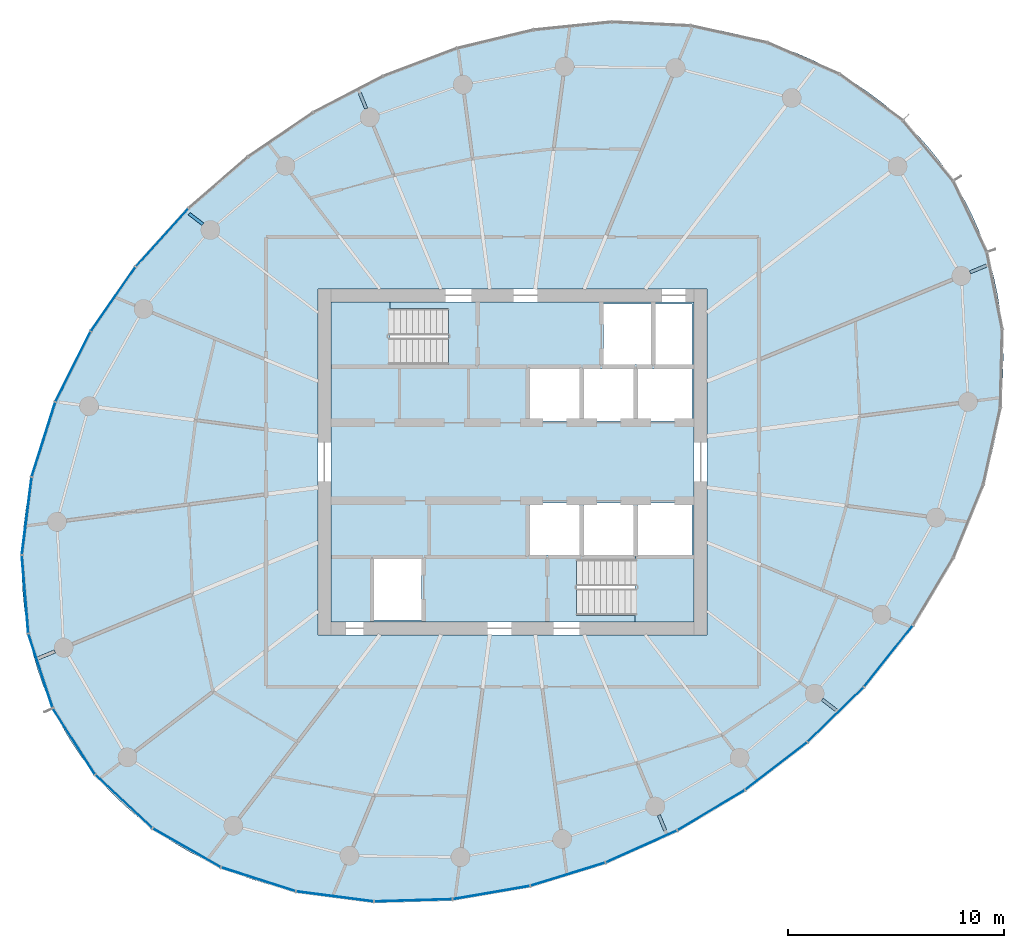
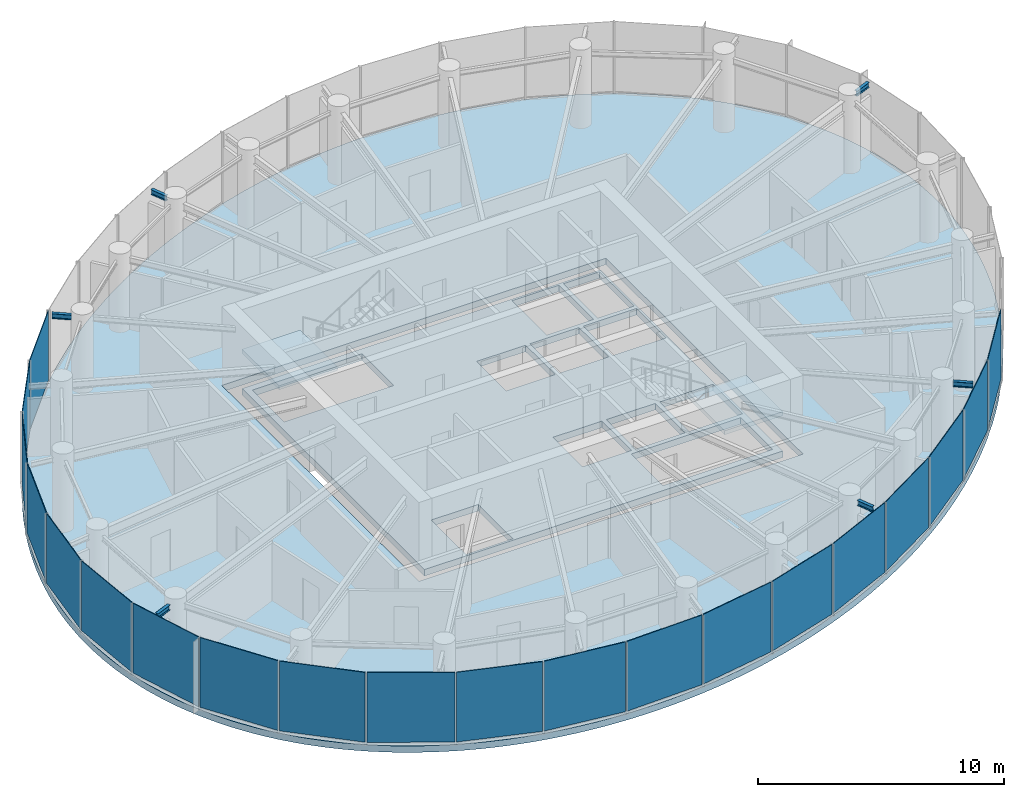
# One storey, part 8 of 15: 20 plates, 6 beams, 4 slabs, 7 elements without a shape of their own.
"""IFC4 building model written with IfcOpenShell, lengths in metres."""

import ifcopenshell
import ifcopenshell.guid

model = None  # the IFC model being written
_history = None  # IfcOwnerHistory: only IFC2X3 demands one
_inside = {}  # id of a spatial element -> (the spatial element, [elements in it])
_under = {}  # id of a project, library or spatial element -> (it, [spatial elements below it])
_declared = {}  # id of a project -> (the project, [libraries it declares])
_typed = {}  # id of a type object -> (the type object, [elements of that type])
_made_of = {}  # id of a material, layer set ... -> (it, [elements and type objects made of it])


def new_model(schema):
    """Start an empty IFC model of exactly this schema.

    Asked for "IFC4X3", IfcOpenShell would pick the latest addendum, in which some entities
    have other attributes; the version numbers below select the first issue.
    IFC2X3 requires an IfcOwnerHistory on every rooted entity: one is made here for all.
    """
    global model, _history
    if schema == "IFC4X3":
        model = ifcopenshell.file(schema_version=(4, 3, 0, 0))
    else:
        model = ifcopenshell.file(schema=schema)
    _inside.clear()
    _under.clear()
    _declared.clear()
    _typed.clear()
    _made_of.clear()
    _history = None
    if model.schema == "IFC2X3":
        org = make("IfcOrganization", Name="unknown")
        user = make(
            "IfcPersonAndOrganization",
            ThePerson=make("IfcPerson", FamilyName="unknown"),
            TheOrganization=org,
        )
        app = make(
            "IfcApplication",
            ApplicationDeveloper=org,
            Version="unknown",
            ApplicationFullName="unknown",
            ApplicationIdentifier="unknown",
        )
        _history = make(
            "IfcOwnerHistory",
            OwningUser=user,
            OwningApplication=app,
            ChangeAction="ADDED",
            CreationDate=0,
        )
    return model


def make(cls, **values):
    """One entity of the class cls with the attributes given. An attribute that is None is left unset."""
    return model.create_entity(
        cls, **{name: value for name, value in values.items() if value is not None}
    )


def rooted(cls, **values):
    """An entity with a GlobalId (a new one), such as an element, a storey or a relation."""
    return make(cls, GlobalId=ifcopenshell.guid.new(), OwnerHistory=_history, **values)


def si_unit(unit_type, name, prefix=None):
    """IfcSIUnit, for example si_unit("LENGTHUNIT", "METRE", prefix="MILLI")."""
    return make("IfcSIUnit", UnitType=unit_type, Prefix=prefix, Name=name)


def assignment(units):
    """IfcUnitAssignment: the units of a project."""
    return None if units is None else make("IfcUnitAssignment", Units=units)


def point(xyz):
    """IfcCartesianPoint."""
    return None if xyz is None else make("IfcCartesianPoint", Coordinates=xyz)


def direction(xyz):
    """IfcDirection."""
    return None if xyz is None else make("IfcDirection", DirectionRatios=xyz)


def frame(location, z_axis=None, x_axis=None):
    """IfcAxis2Placement3D, a coordinate frame: its origin and axes. An axis left out is left unset."""
    return make(
        "IfcAxis2Placement3D",
        Location=point(location),
        Axis=direction(z_axis),
        RefDirection=direction(x_axis),
    )


def frame_2d(location, x_axis=None):
    """IfcAxis2Placement2D, a coordinate frame in the plane: its origin and x axis."""
    return make(
        "IfcAxis2Placement2D", Location=point(location), RefDirection=direction(x_axis)
    )


def origin():
    """The frame at (0, 0, 0) with its axes left unset."""
    return frame((0.0, 0.0, 0.0))


def origin_2d():
    """The frame at (0, 0) in the plane with its x axis left unset."""
    return frame_2d((0.0, 0.0))


def place(relative_to, where):
    """IfcLocalPlacement: puts the frame where relative to a parent placement (None: the world)."""
    return make(
        "IfcLocalPlacement", PlacementRelTo=relative_to, RelativePlacement=where
    )


def context(
    kind, dimensions, precision=None, world=None, true_north=None, identifier=None
):
    """IfcGeometricRepresentationContext, for example the 3D "Model" context."""
    return make(
        "IfcGeometricRepresentationContext",
        ContextIdentifier=identifier,
        ContextType=kind,
        CoordinateSpaceDimension=dimensions,
        Precision=precision,
        WorldCoordinateSystem=world,
        TrueNorth=true_north,
    )


def subcontext(parent, identifier, kind, view, scale=None):
    """IfcGeometricRepresentationSubContext, for example "Body" below "Model"."""
    return make(
        "IfcGeometricRepresentationSubContext",
        ContextIdentifier=identifier,
        ContextType=kind,
        ParentContext=parent,
        TargetScale=scale,
        TargetView=view,
    )


def project(units=None, contexts=None):
    """IfcProject with its units and contexts."""
    return rooted(
        "IfcProject",
        Name="project",
        RepresentationContexts=contexts,
        UnitsInContext=assignment(units),
    )


def spatial(cls, under=None, at=None, **own):
    """A site, building, storey or space (cls), placed at a placement, below another one or the project."""
    s = rooted(cls, ObjectPlacement=at, **own)
    if under is not None:
        _under.setdefault(under.id(), (under, []))[1].append(s)
    return s


def point_list(points):
    """IfcCartesianPointList2D or 3D."""
    cls = (
        "IfcCartesianPointList2D" if len(points[0]) == 2 else "IfcCartesianPointList3D"
    )
    return make(cls, CoordList=points)


def line(*indices):
    """IfcLineIndex: a straight run through numbered points of an indexed curve."""
    return model.create_entity("IfcLineIndex", indices)


def indexed_curve(points, segments=None, self_intersect=None):
    """IfcIndexedPolyCurve: lines and arcs through numbered points (the first is 1)."""
    return make(
        "IfcIndexedPolyCurve",
        Points=point_list(points),
        Segments=segments,
        SelfIntersect=self_intersect,
    )


def profile(cls, at=None, kind="AREA", **sizes):
    """A parametric profile (cls). Its sizes go by their IFC names, for example OverallWidth=200.0."""
    return make(cls, ProfileType=kind, Position=at, **sizes)


def rectangle(**sizes):
    """IfcRectangleProfileDef."""
    return profile("IfcRectangleProfileDef", **sizes)


def i_section(**sizes):
    """IfcIShapeProfileDef."""
    return profile("IfcIShapeProfileDef", **sizes)


def outline(outer, holes=None, kind="AREA"):
    """IfcArbitraryClosedProfileDef: a profile drawn as a closed curve; with holes, ...WithVoids."""
    if holes is None:
        return make("IfcArbitraryClosedProfileDef", ProfileType=kind, OuterCurve=outer)
    return make(
        "IfcArbitraryProfileDefWithVoids",
        ProfileType=kind,
        OuterCurve=outer,
        InnerCurves=holes,
    )


def extrude(swept, where, along, depth):
    """IfcExtrudedAreaSolid: the profile swept, set in the frame where, extruded along a direction by depth."""
    return make(
        "IfcExtrudedAreaSolid",
        SweptArea=swept,
        Position=where,
        ExtrudedDirection=direction(along),
        Depth=depth,
    )


def shape(context_of_items, identifier, shape_type, items):
    """IfcShapeRepresentation: the items that make up one representation, for example the "Body"."""
    return make(
        "IfcShapeRepresentation",
        ContextOfItems=context_of_items,
        RepresentationIdentifier=identifier,
        RepresentationType=shape_type,
        Items=items,
    )


def source(mapping_origin, context_of_items, identifier, shape_type, items):
    """IfcRepresentationMap: a shape defined once, which mapped items show again and again."""
    return make(
        "IfcRepresentationMap",
        MappingOrigin=mapping_origin,
        MappedRepresentation=shape(context_of_items, identifier, shape_type, items),
    )


def transform(
    local_origin,
    x_axis=None,
    y_axis=None,
    z_axis=None,
    scale=None,
    scale2=None,
    scale3=None,
    uniform=True,
):
    """IfcCartesianTransformationOperator3D, or its non-uniform kind. x_axis, y_axis, z_axis: its Axis1, 2, 3."""
    if uniform:
        return make(
            "IfcCartesianTransformationOperator3D",
            Axis1=direction(x_axis),
            Axis2=direction(y_axis),
            LocalOrigin=point(local_origin),
            Scale=scale,
            Axis3=direction(z_axis),
        )
    return make(
        "IfcCartesianTransformationOperator3DnonUniform",
        Axis1=direction(x_axis),
        Axis2=direction(y_axis),
        LocalOrigin=point(local_origin),
        Scale=scale,
        Axis3=direction(z_axis),
        Scale2=scale2,
        Scale3=scale3,
    )


def mapped(mapping_source, mapping_target):
    """IfcMappedItem: shows the shape of a source again, moved by a transform."""
    return make(
        "IfcMappedItem", MappingSource=mapping_source, MappingTarget=mapping_target
    )


def material(Name=None, Category=None):
    """IfcMaterial."""
    return make("IfcMaterial", Name=Name, Category=Category)


def layer(
    of_material, thickness, ventilated=None, Name=None, Category=None, Priority=None
):
    """IfcMaterialLayer: one layer of a wall or slab, of a material (None: an air gap)."""
    return make(
        "IfcMaterialLayer",
        Material=of_material,
        LayerThickness=thickness,
        IsVentilated=ventilated,
        Name=Name,
        Category=Category,
        Priority=Priority,
    )


def layer_set(layers, Name=None):
    """IfcMaterialLayerSet."""
    return make("IfcMaterialLayerSet", MaterialLayers=layers, LayerSetName=Name)


def material_profile(
    of_material, cross_section, Name=None, Category=None, Priority=None
):
    """IfcMaterialProfile: a cross section and its material."""
    return make(
        "IfcMaterialProfile",
        Name=Name,
        Material=of_material,
        Profile=cross_section,
        Priority=Priority,
        Category=Category,
    )


def profile_set(profiles, Name=None, composite=None):
    """IfcMaterialProfileSet."""
    return make(
        "IfcMaterialProfileSet",
        Name=Name,
        MaterialProfiles=profiles,
        CompositeProfile=composite,
    )


def made_of(thing, what):
    """Note that an element or type object is made of a material, layer set ...; save() writes the relation."""
    if what is not None:
        _made_of.setdefault(what.id(), (what, []))[1].append(thing)
    return thing


def type_object(cls, material=None, **own):
    """A type object (cls), such as IfcWallType, which elements share."""
    return made_of(rooted(cls, **own), material)


def element(
    cls,
    number,
    at=None,
    inside=None,
    cuts=None,
    type_object=None,
    material=None,
    context=None,
    identifier="Body",
    shape_type=None,
    held_by="IfcProductDefinitionShape",
    body=None,
    shapes=None,
    **own,
):
    """One element of the class cls, such as IfcWall. Its Tag is "e" and its number.

    at: its placement. inside: the storey or other place that contains it. cuts: it is an
    opening in that element (IfcRelVoidsElement). A single representation is given by context,
    identifier, shape_type and body (its items); several are given by shapes. held_by: the class
    of the entity that holds the representations. save() writes the other relations.
    """
    e = rooted(cls, Tag="e%d" % number, ObjectPlacement=at, **own)
    if body is not None:
        shapes = [shape(context, identifier, shape_type, body)]
    if shapes is not None:
        e.Representation = make(held_by, Representations=shapes)
    if inside is not None:
        _inside.setdefault(inside.id(), (inside, []))[1].append(e)
    if cuts is not None:
        rooted(
            "IfcRelVoidsElement", RelatingBuildingElement=cuts, RelatedOpeningElement=e
        )
    if type_object is not None:
        _typed.setdefault(type_object.id(), (type_object, []))[1].append(e)
    return made_of(e, material)


def aggregate(whole, parts):
    """IfcRelAggregates: a whole, such as a stair, and the parts it consists of."""
    return rooted("IfcRelAggregates", RelatingObject=whole, RelatedObjects=parts)


def save(model, path):
    """Write the relations noted so far, then the file.

    IfcRelAggregates (storeys below a building ...), IfcRelContainedInSpatialStructure (elements
    in a storey), IfcRelDefinesByType, IfcRelAssociatesMaterial and IfcRelDeclares: one each for
    every whole, place, type object, material and project.
    """
    for whole, parts in _under.values():
        aggregate(whole, parts)
    for where, things in _inside.values():
        rooted(
            "IfcRelContainedInSpatialStructure",
            RelatedElements=things,
            RelatingStructure=where,
        )
    for kind, things in _typed.values():
        rooted("IfcRelDefinesByType", RelatedObjects=things, RelatingType=kind)
    for what, things in _made_of.values():
        rooted("IfcRelAssociatesMaterial", RelatedObjects=things, RelatingMaterial=what)
    for by, libraries in _declared.values():
        rooted("IfcRelDeclares", RelatingContext=by, RelatedDefinitions=libraries)
    model.write(path)


model = new_model("IFC4")

# Units and contexts
model_context = context("Model", 3, precision=1e-05, world=origin(), true_north=direction((0.0, 1.0)))
body_context = subcontext(model_context, "Body", "Model", "MODEL_VIEW")
ifc_project = project(units=[si_unit("LENGTHUNIT", "METRE"), si_unit("AREAUNIT", "SQUARE_METRE"), si_unit("VOLUMEUNIT", "CUBIC_METRE"), si_unit("PLANEANGLEUNIT", "RADIAN"), si_unit("MASSUNIT", "GRAM", prefix="KILO")], contexts=[model_context])

# Site, building, storey
site_placement = place(None, origin())
site = spatial("IfcSite", under=ifc_project, at=site_placement, CompositionType="ELEMENT")
building_placement = place(site_placement, origin())
building = spatial("IfcBuilding", under=site, at=building_placement, Name="Spindrift Exchange Tower", CompositionType="ELEMENT")
storey_placement = place(building_placement, frame((0.0, 0.0, 195.5)))
storey = spatial("IfcBuildingStorey", under=building, at=storey_placement, Name="L47", CompositionType="ELEMENT", Elevation=195.5)

# Beams
ifc_material_1 = material(Name="Steel Grade 300", Category="steel")
ifc_material_profile = material_profile(ifc_material_1, i_section(OverallWidth=0.14599609375, OverallDepth=0.251953125, WebThickness=0.006103515625, FlangeThickness=0.008544921875, FilletRadius=0.011962890625, at=origin_2d()), Name="250UB31.4")
ifc_profile_set = profile_set([ifc_material_profile], Name="Steel Grade 300")
beam_type = type_object("IfcBeamType", Name="Cantilever Beam 250UB31.4 Steel Grade 300", PredefinedType="BEAM", material=ifc_profile_set)
shared_shape_1 = source(origin(), body_context, "Body", "SweptSolid", [
    extrude(i_section(OverallWidth=0.14599609375, OverallDepth=0.251953125, WebThickness=0.006103515625, FlangeThickness=0.008544921875, FilletRadius=0.011962890625, at=origin_2d()), origin(), (0.0, 0.0, 1.0), 0.8232421875),
])
for number, where, z_axis, x_axis, name in (
    (1, (73.150390625, 56.7607421875, 3.4541015625), (0.923908393326, 0.382613748761, 0.0), (-0.382613748761, 0.923908393326, 0.0), "L47 cantilever beam R02T"),
    (2, (30.849609375, 39.2392578125, 3.4541015625), (-0.923908393326, -0.382613748761, 0.0), (0.382613748761, -0.923908393326, 0.0), "L47 cantilever beam R14T"),
):
    element("IfcBeam", number, at=place(storey_placement, frame(where, z_axis=z_axis, x_axis=x_axis)), inside=storey, type_object=beam_type, Name=name, PredefinedType="BEAM", context=body_context, shape_type="MappedRepresentation", body=[
        mapped(shared_shape_1, transform((0.0, 0.0, 0.0), scale=1.0)),
    ])
shared_shape_2 = source(origin(), body_context, "Body", "SweptSolid", [
    extrude(i_section(OverallWidth=0.14599609375, OverallDepth=0.251953125, WebThickness=0.006103515625, FlangeThickness=0.008544921875, FilletRadius=0.011962890625, at=origin_2d()), origin(), (0.0, 0.0, 1.0), 0.780029296875),
])
for number, where, z_axis, x_axis, name in (
    (3, (45.236328125, 64.32861328125, 3.4541015625), (-0.382480800444, 0.92396343937, 0.0), (-0.92396343937, -0.382480800444, 0.0), "L47 cantilever beam R08T"),
    (4, (58.763671875, 31.67138671875, 3.4541015625), (0.382480800444, -0.92396343937, 0.0), (0.92396343937, 0.382480800444, 0.0), "L47 cantilever beam R20T"),
):
    element("IfcBeam", number, at=place(storey_placement, frame(where, z_axis=z_axis, x_axis=x_axis)), inside=storey, type_object=beam_type, Name=name, PredefinedType="BEAM", context=body_context, shape_type="MappedRepresentation", body=[
        mapped(shared_shape_2, transform((0.0, 0.0, 0.0), scale=1.0)),
    ])
shared_shape_3 = source(origin(), body_context, "Body", "SweptSolid", [
    extrude(i_section(OverallWidth=0.14599609375, OverallDepth=0.251953125, WebThickness=0.006103515625, FlangeThickness=0.008544921875, FilletRadius=0.011962890625, at=origin_2d()), origin(), (0.0, 0.0, 1.0), 0.8095703125),
])
for number, where, z_axis, x_axis, name in (
    (5, (37.68798828125, 58.982177734375, 3.4541015625), (-0.793475282348, 0.608602478061, 0.0), (-0.608602478061, -0.793475282348, 0.0), "L47 cantilever beam R10T"),
    (6, (66.31201171875, 37.017822265625, 3.4541015625), (0.793475282348, -0.608602478061, 0.0), (0.608602478061, 0.793475282348, 0.0), "L47 cantilever beam R22T"),
):
    element("IfcBeam", number, at=place(storey_placement, frame(where, z_axis=z_axis, x_axis=x_axis)), inside=storey, type_object=beam_type, Name=name, PredefinedType="BEAM", context=body_context, shape_type="MappedRepresentation", body=[
        mapped(shared_shape_3, transform((0.0, 0.0, 0.0), scale=1.0)),
    ])

# Slabs
ifc_material_2 = material(Name="Concrete 40 MPa", Category="concrete")
ifc_layer_1 = layer(ifc_material_2, 0.320068359375)
ifc_layer_set_1 = layer_set([ifc_layer_1], Name="RC Floor Slab 320 Concrete 40 MPa")
slab_type_1 = type_object("IfcSlabType", Name="RC Floor Slab 320 Concrete 40 MPa", PredefinedType="FLOOR", material=ifc_layer_set_1)
slab_1_placement = place(storey_placement, frame((0.0, 0.0, -0.320068359375)))
element("IfcSlab", 7, at=slab_1_placement, inside=storey, type_object=slab_type_1, Name="Floor slab L47", PredefinedType="FLOOR", context=body_context, shape_type="SweptSolid", body=[
    extrude(outline(indexed_curve([(72.37353515625, 60.986572265625), (71.95458984375, 61.607421875), (71.73291015625, 61.909423828125), (71.2666015625, 62.49560546875), (70.770263671875, 63.056884765625), (70.51171875, 63.327880859375), (69.973876953125, 63.849365234375), (69.410400390625, 64.34326171875), (69.119873046875, 64.57958984375), (68.521484375, 65.030517578125), (67.90234375, 65.452392578125), (67.585693359375, 65.652099609375), (66.9384765625, 66.029541015625), (66.27490234375, 66.377197265625), (65.9375, 66.5400390625), (65.25244140625, 66.843505859375), (64.555419921875, 67.11767578125), (64.20263671875, 67.243896484375), (63.489990234375, 67.474853515625), (62.768798828125, 67.677490234375), (62.4052734375, 67.7685546875), (61.673583984375, 67.929931640625), (61.305908203125, 68.00048828125), (60.56640625, 68.12158203125), (59.8232421875, 68.216796875), (59.45068359375, 68.254638671875), (59.077392578125, 68.286376953125), (58.32958984375, 68.331298828125), (57.955078125, 68.344482421875), (57.2060546875, 68.35302734375), (56.45703125, 68.33837890625), (56.082763671875, 68.322509765625), (55.335205078125, 68.273681640625), (54.9619140625, 68.240966796875), (54.589111328125, 68.20263671875), (53.845703125, 68.1103515625), (53.47509765625, 68.056396484375), (52.736083984375, 67.932861328125), (52.367919921875, 67.86328125), (51.634765625, 67.709716796875), (50.543212890625, 67.4423828125), (49.462890625, 67.13232421875), (48.3955078125, 66.78125), (47.342041015625, 66.389892578125), (46.3037109375, 65.9599609375), (45.281982421875, 65.4921875), (44.278076171875, 64.987548828125), (43.292724609375, 64.447021484375), (42.64697265625, 64.067138671875), (42.010498046875, 63.672119140625), (41.07373046875, 63.051025390625), (40.4619140625, 62.61865234375), (39.860595703125, 62.171630859375), (38.979248046875, 61.474609375), (38.123779296875, 60.745849609375), (37.295654296875, 59.986083984375), (36.49609375, 59.1962890625), (35.727294921875, 58.376953125), (34.990234375, 57.528564453125), (34.517578125, 56.947265625), (34.287109375, 56.65185546875), (34.060546875, 56.353515625), (33.619873046875, 55.747802734375), (33.19580078125, 55.1298828125), (32.990234375, 54.81689453125), (32.5927734375, 54.181884765625), (32.40087890625, 53.860107421875), (32.213623046875, 53.53564453125), (31.853759765625, 52.87841796875), (31.513916015625, 52.210693359375), (31.351806640625, 51.873046875), (31.043212890625, 51.1904296875), (30.897216796875, 50.845458984375), (30.6220703125, 50.1484375), (30.493408203125, 49.796875), (30.253662109375, 49.0869140625), (30.142822265625, 48.72900390625), (29.940673828125, 48.0078125), (29.849365234375, 47.644287109375), (29.686767578125, 46.9130859375), (29.61572265625, 46.54541015625), (29.4951171875, 45.805908203125), (29.403564453125, 45.062255859375), (29.369140625, 44.689208984375), (29.323486328125, 43.94140625), (29.30908203125, 43.1923828125), (29.314453125, 42.81787109375), (29.349365234375, 42.069580078125), (29.418212890625, 41.323486328125), (29.4658203125, 40.951904296875), (29.586669921875, 40.212646484375), (29.742919921875, 39.47998046875), (29.834228515625, 39.11669921875), (30.044189453125, 38.397705078125), (30.2900390625, 37.68994140625), (30.42626953125, 37.341064453125), (30.7255859375, 36.654296875), (31.060302734375, 35.98388671875), (31.42919921875, 35.33203125), (31.62646484375, 35.013427734375), (32.04541015625, 34.392578125), (32.26708984375, 34.090576171875), (32.7333984375, 33.50439453125), (33.229736328125, 32.943115234375), (33.48828125, 32.672119140625), (34.026123046875, 32.150634765625), (34.589599609375, 31.65673828125), (34.880126953125, 31.42041015625), (35.478515625, 30.969482421875), (36.09765625, 30.547607421875), (36.414306640625, 30.347900390625), (37.0615234375, 29.970458984375), (37.72509765625, 29.622802734375), (38.4033203125, 29.3046875), (38.74755859375, 29.156494140625), (39.444580078125, 28.88232421875), (39.79736328125, 28.756103515625), (40.510009765625, 28.525146484375), (41.231201171875, 28.322509765625), (41.5947265625, 28.2314453125), (42.326416015625, 28.070068359375), (42.694091796875, 27.99951171875), (43.43359375, 27.87841796875), (44.1767578125, 27.783203125), (44.54931640625, 27.745361328125), (44.922607421875, 27.713623046875), (45.67041015625, 27.668701171875), (46.044921875, 27.655517578125), (46.7939453125, 27.64697265625), (47.54296875, 27.66162109375), (47.917236328125, 27.677490234375), (48.664794921875, 27.726318359375), (49.0380859375, 27.759033203125), (49.410888671875, 27.79736328125), (50.154296875, 27.8896484375), (50.52490234375, 27.943603515625), (51.263916015625, 28.067138671875), (51.632080078125, 28.13671875), (52.365234375, 28.290283203125), (53.456787109375, 28.5576171875), (54.537109375, 28.86767578125), (55.6044921875, 29.21875), (56.657958984375, 29.610107421875), (57.6962890625, 30.0400390625), (58.718017578125, 30.5078125), (59.721923828125, 31.012451171875), (60.707275390625, 31.552978515625), (61.35302734375, 31.932861328125), (61.989501953125, 32.327880859375), (62.92626953125, 32.948974609375), (63.5380859375, 33.38134765625), (64.139404296875, 33.828369140625), (65.020751953125, 34.525390625), (65.876220703125, 35.254150390625), (66.704345703125, 36.013916015625), (67.50390625, 36.8037109375), (68.272705078125, 37.623046875), (69.009765625, 38.471435546875), (69.482421875, 39.052734375), (69.712890625, 39.34814453125), (69.939453125, 39.646484375), (70.380126953125, 40.252197265625), (70.80419921875, 40.8701171875), (71.009765625, 41.18310546875), (71.4072265625, 41.818115234375), (71.59912109375, 42.139892578125), (71.786376953125, 42.46435546875), (72.146240234375, 43.12158203125), (72.486083984375, 43.789306640625), (72.648193359375, 44.126953125), (72.956787109375, 44.8095703125), (73.102783203125, 45.154541015625), (73.3779296875, 45.8515625), (73.506591796875, 46.203125), (73.629638671875, 46.55712890625), (73.857177734375, 47.27099609375), (74.059326171875, 47.9921875), (74.150634765625, 48.355712890625), (74.313232421875, 49.0869140625), (74.38427734375, 49.45458984375), (74.5048828125, 50.194091796875), (74.596435546875, 50.937744140625), (74.630859375, 51.310791015625), (74.676513671875, 52.05859375), (74.69091796875, 52.8076171875), (74.685546875, 53.18212890625), (74.650634765625, 53.930419921875), (74.581787109375, 54.676513671875), (74.5341796875, 55.048095703125), (74.413330078125, 55.787353515625), (74.257080078125, 56.52001953125), (74.165771484375, 56.88330078125), (73.955810546875, 57.602294921875), (73.7099609375, 58.31005859375), (73.57373046875, 58.658935546875), (73.2744140625, 59.345703125), (72.939697265625, 60.01611328125), (72.57080078125, 60.66796875)], segments=[line(1, 2, 3, 4, 5, 6, 7, 8, 9, 10, 11, 12, 13, 14, 15, 16, 17, 18, 19, 20, 21, 22, 23, 24, 25, 26, 27, 28, 29, 30, 31, 32, 33, 34, 35, 36, 37, 38, 39, 40, 41, 42, 43, 44, 45, 46, 47, 48, 49, 50, 51, 52, 53, 54, 55, 56, 57, 58, 59, 60, 61, 62, 63, 64, 65, 66, 67, 68, 69, 70, 71, 72, 73, 74, 75, 76, 77, 78, 79, 80, 81, 82, 83, 84, 85, 86, 87, 88, 89, 90, 91, 92, 93, 94, 95, 96, 97, 98, 99, 100, 101, 102, 103, 104, 105, 106, 107, 108, 109, 110, 111, 112, 113, 114, 115, 116, 117, 118, 119, 120, 121, 122, 123, 124, 125, 126, 127, 128, 129, 130, 131, 132, 133, 134, 135, 136, 137, 138, 139, 140, 141, 142, 143, 144, 145, 146, 147, 148, 149, 150, 151, 152, 153, 154, 155, 156, 157, 158, 159, 160, 161, 162, 163, 164, 165, 166, 167, 168, 169, 170, 171, 172, 173, 174, 175, 176, 177, 178, 179, 180, 181, 182, 183, 184, 185, 186, 187, 188, 189, 190, 191, 192, 193, 194, 195, 196, 197, 198, 1)], self_intersect=False), holes=[indexed_curve([(43.0, 40.0), (61.0, 40.0), (61.0, 56.0), (43.0, 56.0)], segments=[line(1, 2, 3, 4, 1)], self_intersect=False)]), origin(), (0.0, 0.0, 1.0), 0.320068359375),
])
ifc_material_3 = material(Name="Concrete 50 MPa", Category="concrete")
ifc_layer_2 = layer(ifc_material_3, 0.320068359375)
ifc_layer_set_2 = layer_set([ifc_layer_2], Name="SL-CORE-FLOOR-320")
slab_type_2 = type_object("IfcSlabType", Name="SL-CORE-FLOOR-320", PredefinedType="FLOOR", material=ifc_layer_set_2)
slab_2_placement = place(storey_placement, frame((0.0, 0.0, -0.320068359375)))
element("IfcSlab", 8, at=slab_2_placement, inside=storey, type_object=slab_type_2, Name="L47 Core floor slab", PredefinedType="FLOOR", context=body_context, shape_type="SweptSolid", body=[
    extrude(outline(indexed_curve([(43.60009765625, 40.60009765625), (43.60009765625, 55.39990234375), (60.39990234375, 55.39990234375), (60.39990234375, 40.60009765625)], segments=[line(1, 2, 3, 4, 1)], self_intersect=False), holes=[indexed_curve([(45.60009765625, 43.5), (45.60009765625, 40.699951171875), (47.800048828125, 40.699951171875), (47.800048828125, 43.5)], segments=[line(1, 2, 3, 4, 1)], self_intersect=False), indexed_curve([(52.800048828125, 46.10009765625), (52.800048828125, 43.699951171875), (55.10009765625, 43.699951171875), (55.10009765625, 46.10009765625)], segments=[line(1, 2, 3, 4, 1)], self_intersect=False), indexed_curve([(55.300048828125, 46.10009765625), (55.300048828125, 43.699951171875), (57.60009765625, 43.699951171875), (57.60009765625, 46.10009765625)], segments=[line(1, 2, 3, 4, 1)], self_intersect=False), indexed_curve([(55.10009765625, 52.300048828125), (52.800048828125, 52.300048828125), (52.800048828125, 49.89990234375), (55.10009765625, 49.89990234375)], segments=[line(1, 2, 3, 4, 1)], self_intersect=False), indexed_curve([(57.60009765625, 52.300048828125), (55.300048828125, 52.300048828125), (55.300048828125, 49.89990234375), (57.60009765625, 49.89990234375)], segments=[line(1, 2, 3, 4, 1)], self_intersect=False), indexed_curve([(43.906005859375, 52.506103515625), (49.0439453125, 52.506103515625), (49.0439453125, 55.093994140625), (43.906005859375, 55.093994140625)], segments=[line(1, 2, 3, 4, 1)], self_intersect=False), indexed_curve([(60.093994140625, 40.906005859375), (60.093994140625, 43.493896484375), (54.9560546875, 43.493896484375), (54.9560546875, 40.906005859375)], segments=[line(1, 2, 3, 4, 1)], self_intersect=False), indexed_curve([(60.300048828125, 46.10009765625), (57.800048828125, 46.10009765625), (57.800048828125, 43.699951171875), (60.300048828125, 43.699951171875)], segments=[line(1, 2, 3, 4, 1)], self_intersect=False), indexed_curve([(57.800048828125, 52.300048828125), (57.800048828125, 49.89990234375), (60.300048828125, 49.89990234375), (60.300048828125, 52.300048828125)], segments=[line(1, 2, 3, 4, 1)], self_intersect=False), indexed_curve([(58.39990234375, 55.300048828125), (56.199951171875, 55.300048828125), (56.199951171875, 52.5), (58.39990234375, 52.5)], segments=[line(1, 2, 3, 4, 1)], self_intersect=False), indexed_curve([(60.300048828125, 55.300048828125), (58.60009765625, 55.300048828125), (58.60009765625, 52.5), (60.300048828125, 52.5)], segments=[line(1, 2, 3, 4, 1)], self_intersect=False)]), origin(), (0.0, 0.0, 1.0), 0.320068359375),
])

# Stair, slab
stair_type = type_object("IfcStairType", Name="ST-1250-R177", PredefinedType="HALF_TURN_STAIR", material=ifc_material_3)
stair_1_placement = place(storey_placement, origin())
stair_1 = element("IfcStair", 9, at=stair_1_placement, inside=storey, type_object=stair_type, Name="L47 Exit stair ST1", PredefinedType="HALF_TURN_STAIR")
ifc_layer_3 = layer(ifc_material_3, 0.199951171875)
ifc_layer_set_3 = layer_set([ifc_layer_3], Name="SL-LANDING")
slab_type_3 = type_object("IfcSlabType", Name="SL-LANDING", PredefinedType="LANDING", material=ifc_layer_set_3)
slab_3_placement = place(storey_placement, frame((0.0, 0.0, 1.75)))
slab_3 = element("IfcSlab", 10, at=slab_3_placement, type_object=slab_type_3, Name="ST1 landing 1", PredefinedType="LANDING", context=body_context, shape_type="SweptSolid", body=[
    extrude(outline(indexed_curve([(46.330078125, 52.39990234375), (43.60009765625, 52.39990234375), (43.60009765625, 55.39990234375), (46.330078125, 55.39990234375)], segments=[line(1, 2, 3, 4, 1)], self_intersect=False)), origin(), (0.0, 0.0, 1.0), 0.199951171875),
])
aggregate(stair_1, [slab_3])

stair_2_placement = place(storey_placement, origin())
stair_2 = element("IfcStair", 11, at=stair_2_placement, inside=storey, type_object=stair_type, Name="L47 Exit stair ST2", PredefinedType="HALF_TURN_STAIR")
slab_4_placement = place(storey_placement, frame((0.0, 0.0, 1.75)))
slab_4 = element("IfcSlab", 12, at=slab_4_placement, type_object=slab_type_3, Name="ST2 landing 1", PredefinedType="LANDING", context=body_context, shape_type="SweptSolid", body=[
    extrude(outline(indexed_curve([(57.669921875, 43.60009765625), (60.39990234375, 43.60009765625), (60.39990234375, 40.60009765625), (57.669921875, 40.60009765625)], segments=[line(1, 2, 3, 4, 1)], self_intersect=False)), origin(), (0.0, 0.0, 1.0), 0.199951171875),
])
aggregate(stair_2, [slab_4])

# Curtain wall, plates
ifc_material_4 = material(Name="Fritted laminated glass with bronze frame", Category="glass")
ifc_layer_4 = layer(ifc_material_4, 0.169921875)
ifc_layer_set_4 = layer_set([ifc_layer_4], Name="ZONE 4 BRONZE FRITTED WALL")
curtain_wall_type = type_object("IfcCurtainWallType", Name="ZONE 4 BRONZE FRITTED WALL", PredefinedType="NOTDEFINED", material=ifc_layer_set_4)
curtain_wall_1_placement = place(storey_placement, origin())
curtain_wall_1 = element("IfcCurtainWall", 13, at=curtain_wall_1_placement, inside=storey, type_object=curtain_wall_type, Name="L47 Zone 4 Bronze Fritted Wall run 5", PredefinedType="NOTDEFINED")
ifc_material_5 = material(Name="Bronze fritted laminated glass, open frit", Category="glass")
ifc_layer_5 = layer(ifc_material_5, 0.030029296875)
ifc_layer_set_5 = layer_set([ifc_layer_5], Name="ZONE 4 BRONZE FRITTED WALL PANEL OPEN FRIT 360")
plate_type_1 = type_object("IfcPlateType", Name="ZONE 4 BRONZE FRITTED WALL PANEL OPEN FRIT 360", PredefinedType="CURTAIN_PANEL", material=ifc_layer_set_5)
shared_shape_4 = source(origin(), body_context, "Body", "SweptSolid", [
    extrude(rectangle(XDim=3.57763671875, YDim=0.030029296875, at=origin_2d()), origin(), (0.0, 0.0, 1.0), 3.455078125),
])
plate_1_placement = place(storey_placement, frame((57.961181640625, 30.21630859375, 0.125), z_axis=(0.0, 0.0, 1.0), x_axis=(0.91260169871, 0.408849776216, 0.0)))
plate_1 = element("IfcPlate", 14, at=plate_1_placement, type_object=plate_type_1, Name="L47 panel CW-4.27", PredefinedType="CURTAIN_PANEL", context=body_context, shape_type="MappedRepresentation", body=[
    mapped(shared_shape_4, transform((0.0, 0.0, 0.0), scale=1.0)),
])
plate_2_placement = place(storey_placement, frame((66.94287109375, 36.3203125, 0.125), z_axis=(0.0, 0.0, 1.0), x_axis=(0.715308651704, 0.698808652492, 0.0)))
plate_2 = element("IfcPlate", 15, at=plate_2_placement, type_object=plate_type_1, Name="L47 panel CW-4.30", PredefinedType="CURTAIN_PANEL", context=body_context, shape_type="MappedRepresentation", body=[
    mapped(shared_shape_4, transform((0.0, 0.0, 0.0), scale=1.0)),
])
shared_shape_5 = source(origin(), body_context, "Body", "SweptSolid", [
    extrude(rectangle(XDim=3.577880859375, YDim=0.030029296875, at=origin_2d()), origin(), (0.0, 0.0, 1.0), 3.455078125),
])
plate_3_placement = place(storey_placement, frame((61.18701171875, 31.89501953125, 0.125), z_axis=(0.0, 0.0, 1.0), x_axis=(0.858520783041, 0.512778768172, 0.0)))
plate_3 = element("IfcPlate", 16, at=plate_3_placement, type_object=plate_type_1, Name="L47 panel CW-4.28", PredefinedType="CURTAIN_PANEL", context=body_context, shape_type="MappedRepresentation", body=[
    mapped(shared_shape_5, transform((0.0, 0.0, 0.0), scale=1.0)),
])

# Curtain wall, plate
curtain_wall_2_placement = place(storey_placement, origin())
curtain_wall_2 = element("IfcCurtainWall", 17, at=curtain_wall_2_placement, inside=storey, type_object=curtain_wall_type, Name="L47 Zone 4 Bronze Fritted Wall run 3", PredefinedType="NOTDEFINED")
ifc_layer_6 = layer(ifc_material_5, 0.030029296875)
ifc_layer_set_6 = layer_set([ifc_layer_6], Name="ZONE 4 BRONZE FRITTED WALL PANEL OPEN FRIT 600")
plate_type_2 = type_object("IfcPlateType", Name="ZONE 4 BRONZE FRITTED WALL PANEL OPEN FRIT 600", PredefinedType="CURTAIN_PANEL", material=ifc_layer_set_6)
shared_shape_6 = source(origin(), body_context, "Body", "SweptSolid", [
    extrude(rectangle(XDim=3.57421875, YDim=0.030029296875, at=origin_2d()), origin(), (0.0, 0.0, 1.0), 3.455078125),
])
plate_4_placement = place(storey_placement, frame((29.5419921875, 45.493896484375, 0.125), z_axis=(0.0, 0.0, 1.0), x_axis=(-0.124754868987, -0.992187594492, 0.0)))
plate_4 = element("IfcPlate", 18, at=plate_4_placement, type_object=plate_type_2, Name="L47 panel CW-4.16", PredefinedType="CURTAIN_PANEL", context=body_context, shape_type="MappedRepresentation", body=[
    mapped(shared_shape_6, transform((0.0, 0.0, 0.0), scale=1.0)),
])

curtain_wall_3_placement = place(storey_placement, origin())
curtain_wall_3 = element("IfcCurtainWall", 19, at=curtain_wall_3_placement, inside=storey, type_object=curtain_wall_type, Name="L47 Zone 4 Bronze Fritted Wall run 4", PredefinedType="NOTDEFINED")
shared_shape_7 = source(origin(), body_context, "Body", "SweptSolid", [
    extrude(rectangle(XDim=3.57080078125, YDim=0.030029296875, at=origin_2d()), origin(), (0.0, 0.0, 1.0), 3.455078125),
])
plate_5_placement = place(storey_placement, frame((34.0283203125, 32.30078125, 0.125), z_axis=(0.0, 0.0, 1.0), x_axis=(0.730059710153, -0.683383362111, 0.0)))
plate_5 = element("IfcPlate", 20, at=plate_5_placement, type_object=plate_type_2, Name="L47 panel CW-4.20", PredefinedType="CURTAIN_PANEL", context=body_context, shape_type="MappedRepresentation", body=[
    mapped(shared_shape_7, transform((0.0, 0.0, 0.0), scale=1.0)),
])

# Plate
ifc_layer_7 = layer(ifc_material_5, 0.030029296875)
ifc_layer_set_7 = layer_set([ifc_layer_7], Name="ZONE 4 BRONZE FRITTED WALL PANEL OPEN FRIT 480")
plate_type_3 = type_object("IfcPlateType", Name="ZONE 4 BRONZE FRITTED WALL PANEL OPEN FRIT 480", PredefinedType="CURTAIN_PANEL", material=ifc_layer_set_7)
shared_shape_8 = source(origin(), body_context, "Body", "SweptSolid", [
    extrude(rectangle(XDim=3.57080078125, YDim=0.030029296875, at=origin_2d()), origin(), (0.0, 0.0, 1.0), 3.455078125),
])
plate_6_placement = place(storey_placement, frame((30.181396484375, 38.3359375, 0.125), z_axis=(0.0, 0.0, 1.0), x_axis=(0.311296815528, -0.950312734126, 0.0)))
plate_6 = element("IfcPlate", 21, at=plate_6_placement, type_object=plate_type_3, Name="L47 panel CW-4.18", PredefinedType="CURTAIN_PANEL", context=body_context, shape_type="MappedRepresentation", body=[
    mapped(shared_shape_8, transform((0.0, 0.0, 0.0), scale=1.0)),
])

shared_shape_9 = source(origin(), body_context, "Body", "SweptSolid", [
    extrude(rectangle(XDim=3.572509765625, YDim=0.030029296875, at=origin_2d()), origin(), (0.0, 0.0, 1.0), 3.455078125),
])
plate_7_placement = place(storey_placement, frame((29.465087890625, 41.8759765625, 0.125), z_axis=(0.0, 0.0, 1.0), x_axis=(0.08258383121, -0.996584121298, 0.0)))
plate_7 = element("IfcPlate", 22, at=plate_7_placement, type_object=plate_type_3, Name="L47 panel CW-4.17", PredefinedType="CURTAIN_PANEL", context=body_context, shape_type="MappedRepresentation", body=[
    mapped(shared_shape_9, transform((0.0, 0.0, 0.0), scale=1.0)),
])

plate_8_placement = place(storey_placement, frame((36.93505859375, 30.1572265625, 0.125), z_axis=(0.0, 0.0, 1.0), x_axis=(0.868552812279, -0.49559662255, 0.0)))
plate_8 = element("IfcPlate", 23, at=plate_8_placement, type_object=plate_type_3, Name="L47 panel CW-4.21", PredefinedType="CURTAIN_PANEL", context=body_context, shape_type="MappedRepresentation", body=[
    mapped(shared_shape_9, transform((0.0, 0.0, 0.0), scale=1.0)),
])

shared_shape_10 = source(origin(), body_context, "Body", "SweptSolid", [
    extrude(rectangle(XDim=3.575439453125, YDim=0.030029296875, at=origin_2d()), origin(), (0.0, 0.0, 1.0), 3.455078125),
])
plate_9_placement = place(storey_placement, frame((43.78466796875, 27.90771484375, 0.125), z_axis=(0.0, 0.0, 1.0), x_axis=(0.991609907563, -0.129266357658, 0.0)))
plate_9 = element("IfcPlate", 24, at=plate_9_placement, type_object=plate_type_1, Name="L47 panel CW-4.23", PredefinedType="CURTAIN_PANEL", context=body_context, shape_type="MappedRepresentation", body=[
    mapped(shared_shape_10, transform((0.0, 0.0, 0.0), scale=1.0)),
])

shared_shape_11 = source(origin(), body_context, "Body", "SweptSolid", [
    extrude(rectangle(XDim=3.5771484375, YDim=0.030029296875, at=origin_2d()), origin(), (0.0, 0.0, 1.0), 3.455078125),
])
plate_10_placement = place(storey_placement, frame((33.53662109375, 55.522216796875, 0.125), z_axis=(0.0, 0.0, 1.0), x_axis=(-0.569844744132, -0.821752376075, 0.0)))
plate_10 = element("IfcPlate", 25, at=plate_10_placement, type_object=plate_type_3, Name="L47 panel CW-4.13", PredefinedType="CURTAIN_PANEL", context=body_context, shape_type="MappedRepresentation", body=[
    mapped(shared_shape_11, transform((0.0, 0.0, 0.0), scale=1.0)),
])

plate_11_placement = place(storey_placement, frame((51.024169921875, 28.0869140625, 0.125), z_axis=(0.0, 0.0, 1.0), x_axis=(0.985504288226, 0.169650516914, 0.0)))
plate_11 = element("IfcPlate", 26, at=plate_11_placement, type_object=plate_type_3, Name="L47 panel CW-4.25", PredefinedType="CURTAIN_PANEL", context=body_context, shape_type="MappedRepresentation", body=[
    mapped(shared_shape_11, transform((0.0, 0.0, 0.0), scale=1.0)),
])

shared_shape_12 = source(origin(), body_context, "Body", "SweptSolid", [
    extrude(rectangle(XDim=3.577880859375, YDim=0.030029296875, at=origin_2d()), origin(), (0.0, 0.0, 1.0), 3.455078125),
])
plate_12_placement = place(storey_placement, frame((64.1953125, 33.938232421875, 0.125), z_axis=(0.0, 0.0, 1.0), x_axis=(0.793135479244, 0.60904524591, 0.0)))
plate_12 = element("IfcPlate", 27, at=plate_12_placement, type_object=plate_type_2, Name="L47 panel CW-4.29", PredefinedType="CURTAIN_PANEL", context=body_context, shape_type="MappedRepresentation", body=[
    mapped(shared_shape_12, transform((0.0, 0.0, 0.0), scale=1.0)),
])

shared_shape_13 = source(origin(), body_context, "Body", "SweptSolid", [
    extrude(rectangle(XDim=3.57763671875, YDim=0.030029296875, at=origin_2d()), origin(), (0.0, 0.0, 1.0), 3.455078125),
])
plate_13_placement = place(storey_placement, frame((54.558837890625, 28.93359375, 0.125), z_axis=(0.0, 0.0, 1.0), x_axis=(0.955400082549, 0.295314548007, 0.0)))
plate_13 = element("IfcPlate", 28, at=plate_13_placement, type_object=plate_type_3, Name="L47 panel CW-4.26", PredefinedType="CURTAIN_PANEL", context=body_context, shape_type="MappedRepresentation", body=[
    mapped(shared_shape_13, transform((0.0, 0.0, 0.0), scale=1.0)),
])

aggregate(curtain_wall_1, [plate_11, plate_13, plate_1, plate_3, plate_12, plate_2])

# Curtain wall, plate
curtain_wall_4_placement = place(storey_placement, origin())
curtain_wall_4 = element("IfcCurtainWall", 29, at=curtain_wall_4_placement, inside=storey, type_object=curtain_wall_type, Name="L47 Zone 4 Bronze Fritted Wall run 2", PredefinedType="NOTDEFINED")
shared_shape_14 = source(origin(), body_context, "Body", "SweptSolid", [
    extrude(rectangle(XDim=3.577392578125, YDim=0.030029296875, at=origin_2d()), origin(), (0.0, 0.0, 1.0), 3.455078125),
])
plate_14_placement = place(storey_placement, frame((35.79638671875, 58.368896484375, 0.125), z_axis=(0.0, 0.0, 1.0), x_axis=(-0.671049273858, -0.741412754176, 0.0)))
plate_14 = element("IfcPlate", 30, at=plate_14_placement, type_object=plate_type_3, Name="L47 panel CW-4.12", PredefinedType="CURTAIN_PANEL", context=body_context, shape_type="MappedRepresentation", body=[
    mapped(shared_shape_14, transform((0.0, 0.0, 0.0), scale=1.0)),
])
aggregate(curtain_wall_4, [plate_14])

curtain_wall_5_placement = place(storey_placement, origin())
curtain_wall_5 = element("IfcCurtainWall", 31, at=curtain_wall_5_placement, inside=storey, type_object=curtain_wall_type, Name="L47 Zone 4 Bronze Fritted Wall run 6", PredefinedType="NOTDEFINED")
plate_15_placement = place(storey_placement, frame((69.379638671875, 39.01806640625, 0.125), z_axis=(0.0, 0.0, 1.0), x_axis=(0.622718136013, 0.782446242933, 0.0)))
plate_15 = element("IfcPlate", 32, at=plate_15_placement, type_object=plate_type_3, Name="L47 panel CW-4.31", PredefinedType="CURTAIN_PANEL", context=body_context, shape_type="MappedRepresentation", body=[
    mapped(shared_shape_14, transform((0.0, 0.0, 0.0), scale=1.0)),
])
aggregate(curtain_wall_5, [plate_15])

# Plate
shared_shape_15 = source(origin(), body_context, "Body", "SweptSolid", [
    extrude(rectangle(XDim=3.570068359375, YDim=0.030029296875, at=origin_2d()), origin(), (0.0, 0.0, 1.0), 3.455078125),
])
plate_16_placement = place(storey_placement, frame((31.72412109375, 35.07568359375, 0.125), z_axis=(0.0, 0.0, 1.0), x_axis=(0.537513030524, -0.843255442922, 0.0)))
plate_16 = element("IfcPlate", 33, at=plate_16_placement, type_object=plate_type_1, Name="L47 panel CW-4.19", PredefinedType="CURTAIN_PANEL", context=body_context, shape_type="MappedRepresentation", body=[
    mapped(shared_shape_15, transform((0.0, 0.0, 0.0), scale=1.0)),
])

shared_shape_16 = source(origin(), body_context, "Body", "SweptSolid", [
    extrude(rectangle(XDim=3.57421875, YDim=0.030029296875, at=origin_2d()), origin(), (0.0, 0.0, 1.0), 3.455078125),
])
plate_17_placement = place(storey_placement, frame((40.2470703125, 28.699462890625, 0.125), z_axis=(0.0, 0.0, 1.0), x_axis=(0.952102178483, -0.305780054495, 0.0)))
plate_17 = element("IfcPlate", 34, at=plate_17_placement, type_object=plate_type_3, Name="L47 panel CW-4.22", PredefinedType="CURTAIN_PANEL", context=body_context, shape_type="MappedRepresentation", body=[
    mapped(shared_shape_16, transform((0.0, 0.0, 0.0), scale=1.0)),
])

shared_shape_17 = source(origin(), body_context, "Body", "SweptSolid", [
    extrude(rectangle(XDim=3.575439453125, YDim=0.030029296875, at=origin_2d()), origin(), (0.0, 0.0, 1.0), 3.455078125),
])
plate_18_placement = place(storey_placement, frame((30.317626953125, 49.034912109375, 0.125), z_axis=(0.0, 0.0, 1.0), x_axis=(-0.30143977695, -0.953485217962, 0.0)))
plate_18 = element("IfcPlate", 35, at=plate_18_placement, type_object=plate_type_3, Name="L47 panel CW-4.15", PredefinedType="CURTAIN_PANEL", context=body_context, shape_type="MappedRepresentation", body=[
    mapped(shared_shape_17, transform((0.0, 0.0, 0.0), scale=1.0)),
])

shared_shape_18 = source(origin(), body_context, "Body", "SweptSolid", [
    extrude(rectangle(XDim=3.576416015625, YDim=0.030029296875, at=origin_2d()), origin(), (0.0, 0.0, 1.0), 3.455078125),
])
plate_19_placement = place(storey_placement, frame((31.6826171875, 52.39794921875, 0.125), z_axis=(0.0, 0.0, 1.0), x_axis=(-0.448278689836, -0.893893850655, 0.0)))
plate_19 = element("IfcPlate", 36, at=plate_19_placement, type_object=plate_type_3, Name="L47 panel CW-4.14", PredefinedType="CURTAIN_PANEL", context=body_context, shape_type="MappedRepresentation", body=[
    mapped(shared_shape_18, transform((0.0, 0.0, 0.0), scale=1.0)),
])

aggregate(curtain_wall_2, [plate_10, plate_19, plate_18, plate_4, plate_7, plate_6])

plate_20_placement = place(storey_placement, frame((47.409423828125, 27.72509765625, 0.125), z_axis=(0.0, 0.0, 1.0), x_axis=(0.999579416914, 0.028999815215, 0.0)))
plate_20 = element("IfcPlate", 37, at=plate_20_placement, type_object=plate_type_3, Name="L47 panel CW-4.24", PredefinedType="CURTAIN_PANEL", context=body_context, shape_type="MappedRepresentation", body=[
    mapped(shared_shape_18, transform((0.0, 0.0, 0.0), scale=1.0)),
])

aggregate(curtain_wall_3, [plate_16, plate_5, plate_8, plate_17, plate_9, plate_20])

save(model, "model.ifc")
